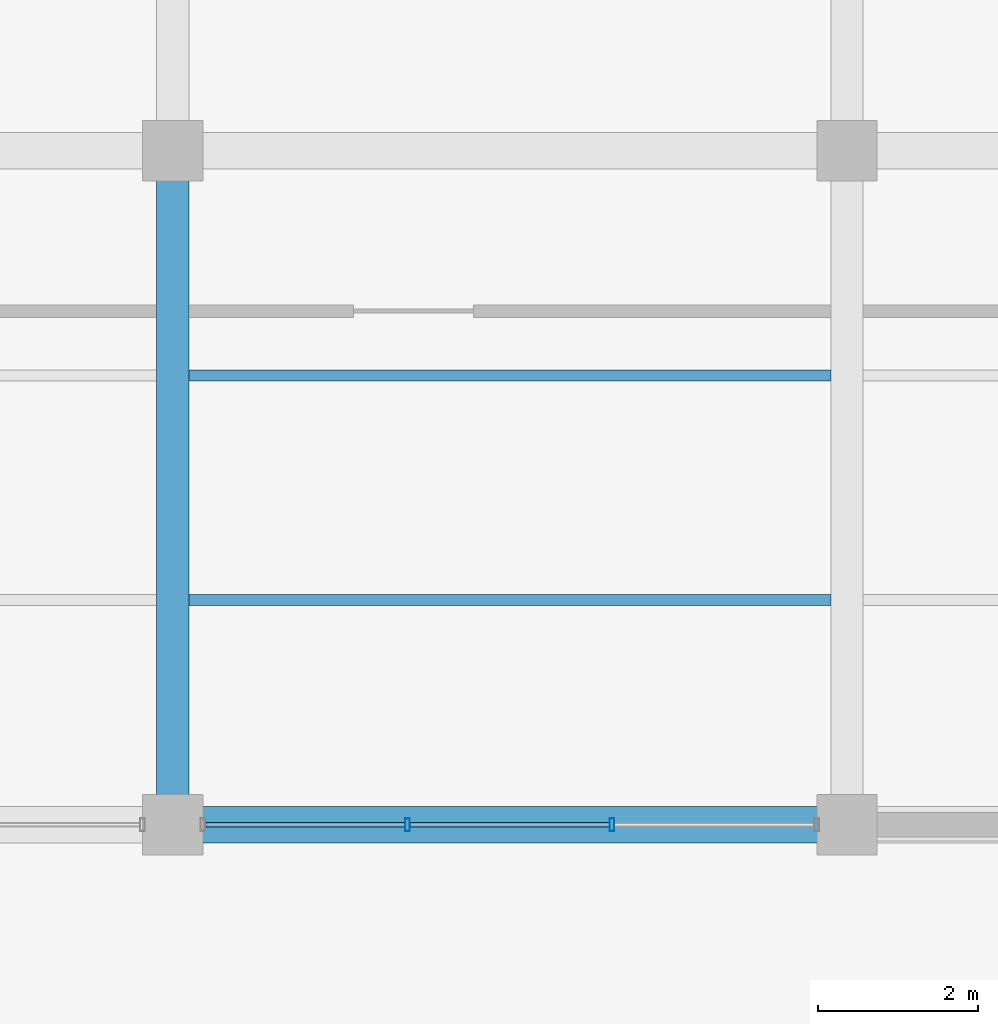
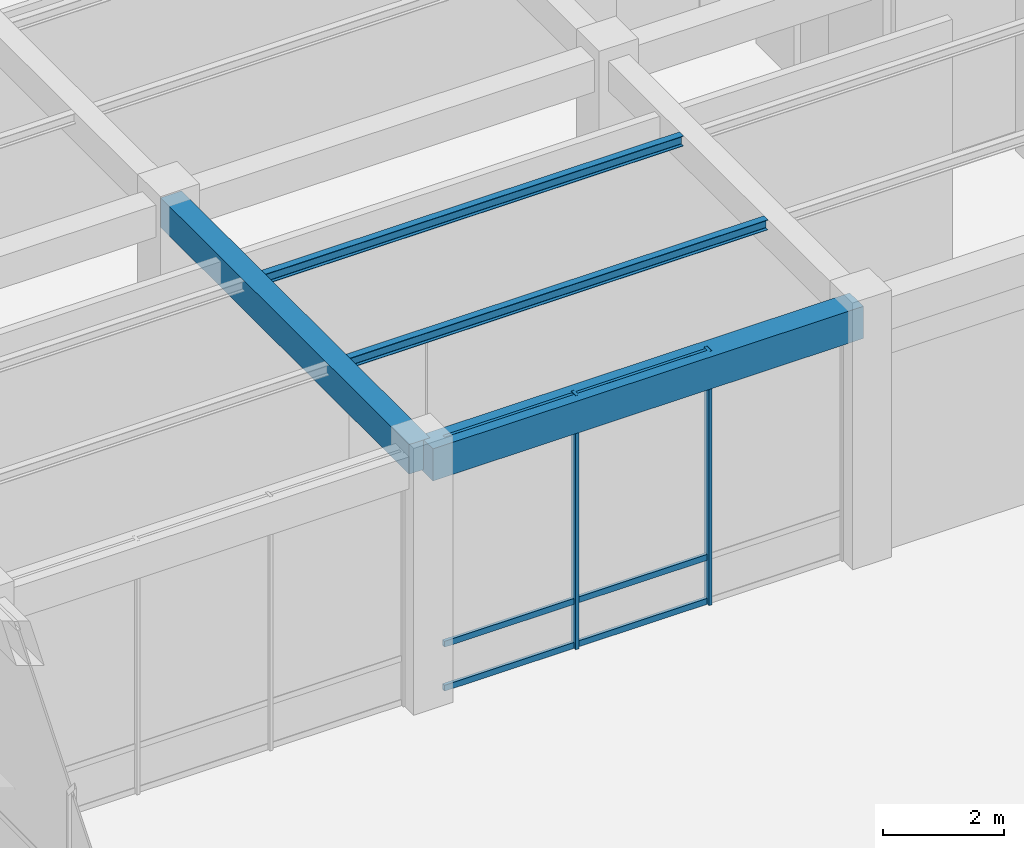
# One storey, part 13 of 157: 8 members, 4 beams, 1 element without a shape of its own.
"""IFC4 building model written with IfcOpenShell, lengths in metres."""

from ifc_helpers import new_model, si_unit, direction, frame, origin, origin_2d, place, context, subcontext, project, spatial, rectangle, hollow_rectangle, i_section, extrude, material, material_profile, profile_set, type_object, element, aggregate, save


model = new_model("IFC4")

# Units and contexts
model_context = context("Model", 3, precision=1e-05, world=origin(), true_north=direction((0.0, 1.0)))
body_context = subcontext(model_context, "Body", "Model", "MODEL_VIEW")
ifc_project = project(units=[si_unit("LENGTHUNIT", "METRE"), si_unit("AREAUNIT", "SQUARE_METRE"), si_unit("VOLUMEUNIT", "CUBIC_METRE"), si_unit("PLANEANGLEUNIT", "RADIAN"), si_unit("MASSUNIT", "GRAM", prefix="KILO"), si_unit("THERMODYNAMICTEMPERATUREUNIT", "KELVIN"), si_unit("POWERUNIT", "WATT")], contexts=[model_context])

# Site, building, storey
site_placement = place(None, origin())
site = spatial("IfcSite", under=ifc_project, at=site_placement, CompositionType="ELEMENT")
building_placement = place(site_placement, origin())
building = spatial("IfcBuilding", under=site, at=building_placement, Name="Darbajah Civic Hall", CompositionType="ELEMENT")
storey_placement = place(building_placement, origin())
storey = spatial("IfcBuildingStorey", under=building, at=storey_placement, Name="L00", CompositionType="ELEMENT", Elevation=0.0)

# Curtain wall, members
ifc_material_1 = material(Name="Anodised Bronze Aluminium and Low-E Glazing", Category="aluminium")
curtain_wall_type = type_object("IfcCurtainWallType", Name="Unitised Curtain Wall CW-98 7600x5150", PredefinedType="USERDEFINED", material=ifc_material_1)
curtain_wall_placement = place(storey_placement, origin())
curtain_wall = element("IfcCurtainWall", 1, at=curtain_wall_placement, inside=storey, type_object=curtain_wall_type, Name="L00 unitised curtain wall CW-V5-L00-S2-B1", ObjectType="UNITISED CURTAIN WALL", PredefinedType="USERDEFINED")
ifc_material_2 = material(Name="Anodised Bronze Aluminium", Category="aluminium")
ifc_material_profile_1 = material_profile(ifc_material_2, hollow_rectangle(XDim=0.06005859375, YDim=0.159912109375, WallThickness=0.00341796875, at=origin_2d()), Name="ALU MULLION 60x160")
ifc_profile_set_1 = profile_set([ifc_material_profile_1], Name="Anodised Bronze Aluminium")
member_type_1 = type_object("IfcMemberType", Name="ALU MULLION 60x160", PredefinedType="MULLION", material=ifc_profile_set_1)
member_1_placement = place(storey_placement, frame((28.125732421875, 16.800048828125, 0.0), z_axis=(0.0, 0.0, 1.0), x_axis=(1.0, 0.0, 0.0)))
member_1 = element("IfcMember", 2, at=member_1_placement, type_object=member_type_1, Name="CW-V5-L00-S2-B1 mullion 2", PredefinedType="MULLION", context=body_context, shape_type="SweptSolid", body=[
    extrude(hollow_rectangle(XDim=0.06005859375, YDim=0.159912109375, WallThickness=0.00341796875, at=origin_2d()), origin(), (0.0, 0.0, 1.0), 5.139892578125),
])
member_2_placement = place(storey_placement, frame((30.67431640625, 16.800048828125, 0.0), z_axis=(0.0, 0.0, 1.0), x_axis=(1.0, 0.0, 0.0)))
member_2 = element("IfcMember", 3, at=member_2_placement, type_object=member_type_1, Name="CW-V5-L00-S2-B1 mullion 3", PredefinedType="MULLION", context=body_context, shape_type="SweptSolid", body=[
    extrude(hollow_rectangle(XDim=0.06005859375, YDim=0.159912109375, WallThickness=0.00341796875, at=origin_2d()), origin(), (0.0, 0.0, 1.0), 5.139892578125),
])
ifc_material_profile_2 = material_profile(ifc_material_2, hollow_rectangle(XDim=0.06005859375, YDim=0.1201171875, WallThickness=0.003173828125, at=origin_2d()), Name="ALU TRANSOM 60x120")
ifc_profile_set_2 = profile_set([ifc_material_profile_2], Name="Anodised Bronze Aluminium")
member_type_2 = type_object("IfcMemberType", Name="ALU TRANSOM 60x120", PredefinedType="USERDEFINED", material=ifc_profile_set_2)
member_3_placement = place(storey_placement, frame((25.612060546875, 16.800048828125, 0.06005859375), z_axis=(1.0, 0.0, 0.0), x_axis=(0.0, 1.0, 0.0)))
member_3 = element("IfcMember", 4, at=member_3_placement, type_object=member_type_2, Name="CW-V5-L00-S2-B1 transom 1.1", ObjectType="TRANSOM", PredefinedType="USERDEFINED", context=body_context, shape_type="SweptSolid", body=[
    extrude(hollow_rectangle(XDim=0.06005859375, YDim=0.1201171875, WallThickness=0.003173828125, at=origin_2d()), origin(), (0.0, 0.0, 1.0), 2.478759765625),
])
member_4_placement = place(storey_placement, frame((25.612060546875, 16.800048828125, 0.949951171875), z_axis=(1.0, 0.0, 0.0), x_axis=(0.0, 1.0, 0.0)))
member_4 = element("IfcMember", 5, at=member_4_placement, type_object=member_type_2, Name="CW-V5-L00-S2-B1 transom 1.2", ObjectType="TRANSOM", PredefinedType="USERDEFINED", context=body_context, shape_type="SweptSolid", body=[
    extrude(hollow_rectangle(XDim=0.06005859375, YDim=0.1201171875, WallThickness=0.003173828125, at=origin_2d()), origin(), (0.0, 0.0, 1.0), 2.478759765625),
])
member_5_placement = place(storey_placement, frame((25.612060546875, 16.800048828125, 5.080078125), z_axis=(1.0, 0.0, 0.0), x_axis=(0.0, 1.0, 0.0)))
member_5 = element("IfcMember", 6, at=member_5_placement, type_object=member_type_2, Name="CW-V5-L00-S2-B1 transom 1.3", ObjectType="TRANSOM", PredefinedType="USERDEFINED", context=body_context, shape_type="SweptSolid", body=[
    extrude(hollow_rectangle(XDim=0.06005859375, YDim=0.1201171875, WallThickness=0.003173828125, at=origin_2d()), origin(), (0.0, 0.0, 1.0), 2.478759765625),
])
member_6_placement = place(storey_placement, frame((28.16064453125, 16.800048828125, 0.06005859375), z_axis=(1.0, 0.0, 0.0), x_axis=(0.0, 1.0, 0.0)))
member_6 = element("IfcMember", 7, at=member_6_placement, type_object=member_type_2, Name="CW-V5-L00-S2-B1 transom 2.1", ObjectType="TRANSOM", PredefinedType="USERDEFINED", context=body_context, shape_type="SweptSolid", body=[
    extrude(hollow_rectangle(XDim=0.06005859375, YDim=0.1201171875, WallThickness=0.003173828125, at=origin_2d()), origin(), (0.0, 0.0, 1.0), 2.478759765625),
])
member_7_placement = place(storey_placement, frame((28.16064453125, 16.800048828125, 0.949951171875), z_axis=(1.0, 0.0, 0.0), x_axis=(0.0, 1.0, 0.0)))
member_7 = element("IfcMember", 8, at=member_7_placement, type_object=member_type_2, Name="CW-V5-L00-S2-B1 transom 2.2", ObjectType="TRANSOM", PredefinedType="USERDEFINED", context=body_context, shape_type="SweptSolid", body=[
    extrude(hollow_rectangle(XDim=0.06005859375, YDim=0.1201171875, WallThickness=0.003173828125, at=origin_2d()), origin(), (0.0, 0.0, 1.0), 2.478759765625),
])
member_8_placement = place(storey_placement, frame((28.16064453125, 16.800048828125, 5.080078125), z_axis=(1.0, 0.0, 0.0), x_axis=(0.0, 1.0, 0.0)))
member_8 = element("IfcMember", 9, at=member_8_placement, type_object=member_type_2, Name="CW-V5-L00-S2-B1 transom 2.3", ObjectType="TRANSOM", PredefinedType="USERDEFINED", context=body_context, shape_type="SweptSolid", body=[
    extrude(hollow_rectangle(XDim=0.06005859375, YDim=0.1201171875, WallThickness=0.003173828125, at=origin_2d()), origin(), (0.0, 0.0, 1.0), 2.478759765625),
])
aggregate(curtain_wall, [member_1, member_2, member_3, member_4, member_5, member_6, member_7, member_8])

# Beams
ifc_material_3 = material(Name="Concrete C45/55", Category="concrete")
ifc_material_profile_3 = material_profile(ifc_material_3, rectangle(XDim=0.39990234375, YDim=0.60009765625, at=origin_2d()), Name="RC BEAM 400x600")
ifc_profile_set_3 = profile_set([ifc_material_profile_3], Name="Concrete C45/55")
beam_type_1 = type_object("IfcBeamType", Name="RC BEAM 400x600", PredefinedType="BEAM", material=ifc_profile_set_3)
beam_1_placement = place(storey_placement, frame((25.199951171875, 16.8798828125, 4.840087890625), z_axis=(0.0, 1.0, 0.0), x_axis=(-1.0, 0.0, 0.0)))
element("IfcBeam", 10, at=beam_1_placement, inside=storey, type_object=beam_type_1, Name="L00 beam BM-4060", PredefinedType="BEAM", context=body_context, shape_type="SweptSolid", body=[
    extrude(rectangle(XDim=0.39990234375, YDim=0.60009765625, at=origin_2d()), origin(), (0.0, 0.0, 1.0), 8.240234375),
])
ifc_material_profile_4 = material_profile(ifc_material_3, rectangle(XDim=0.449951171875, YDim=0.64990234375, at=origin_2d()), Name="RC BEAM 450x650")
ifc_profile_set_4 = profile_set([ifc_material_profile_4], Name="Concrete C45/55")
beam_type_2 = type_object("IfcBeamType", Name="RC BEAM 450x650", PredefinedType="BEAM", material=ifc_profile_set_4)
beam_2_placement = place(storey_placement, frame((25.280029296875, 16.800048828125, 4.81494140625), z_axis=(1.0, 0.0, 0.0), x_axis=(0.0, 1.0, 0.0)))
element("IfcBeam", 11, at=beam_2_placement, inside=storey, type_object=beam_type_2, Name="L00 beam BM-4565", PredefinedType="BEAM", context=body_context, shape_type="SweptSolid", body=[
    extrude(rectangle(XDim=0.449951171875, YDim=0.64990234375, at=origin_2d()), origin(), (0.0, 0.0, 1.0), 8.239990234375),
])
ifc_material_4 = material(Name="Steel S355JR", Category="steel")
ifc_material_profile_5 = material_profile(ifc_material_4, i_section(OverallWidth=0.1337890625, OverallDepth=0.206787109375, WebThickness=0.00634765625, FlangeThickness=0.009521484375, FilletRadius=0.007568359375, at=origin_2d()), Name="UB 203x133x30")
ifc_profile_set_5 = profile_set([ifc_material_profile_5], Name="Steel S355JR")
beam_type_3 = type_object("IfcBeamType", Name="UB 203x133x30", PredefinedType="JOIST", material=ifc_profile_set_5)
for number, where, z_axis, x_axis, name in (
    (12, (25.39990234375, 19.60009765625, 5.03662109375), (1.0, 0.0, 0.0), (0.0, 1.0, 0.0), "L00 beam SJ-203"),
    (13, (25.39990234375, 22.39990234375, 5.03662109375), (1.0, 0.0, 0.0), (0.0, 1.0, 0.0), "L00 beam SJ-203"),
):
    element("IfcBeam", number, at=place(storey_placement, frame(where, z_axis=z_axis, x_axis=x_axis)), inside=storey, type_object=beam_type_3, Name=name, PredefinedType="JOIST", context=body_context, shape_type="SweptSolid", body=[
        extrude(i_section(OverallWidth=0.1337890625, OverallDepth=0.206787109375, WebThickness=0.00634765625, FlangeThickness=0.009521484375, FilletRadius=0.007568359375, at=origin_2d()), origin(), (0.0, 0.0, 1.0), 8.0),
    ])

save(model, "model.ifc")
